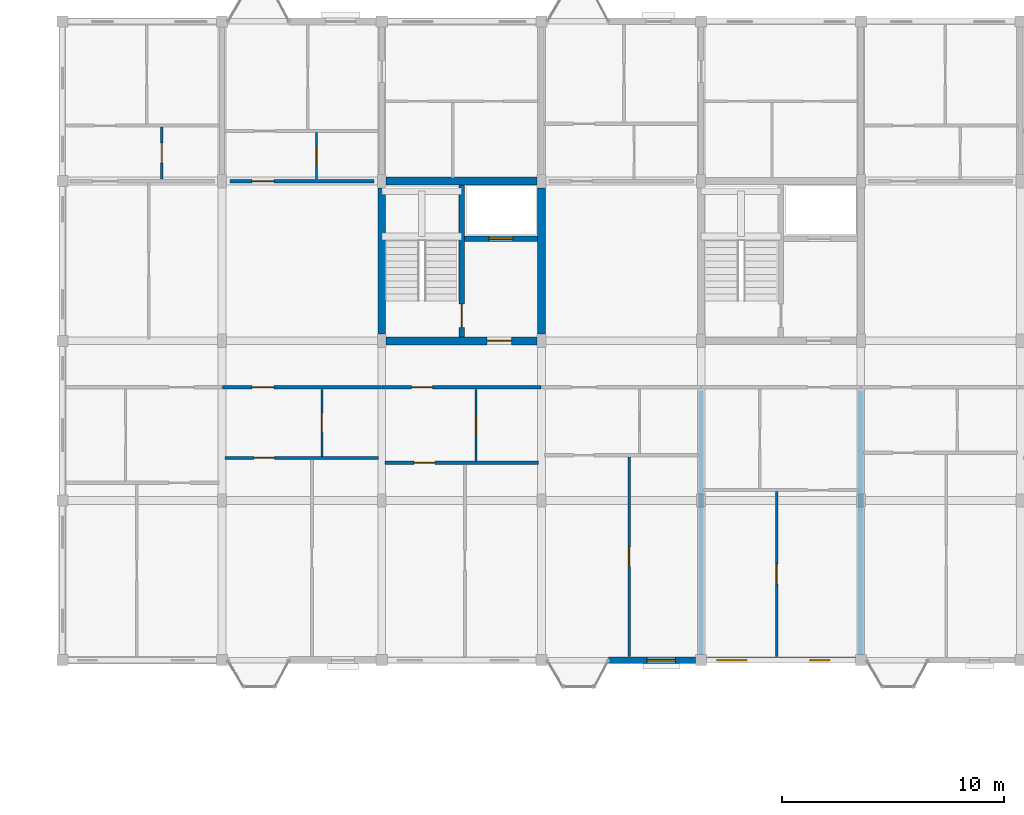
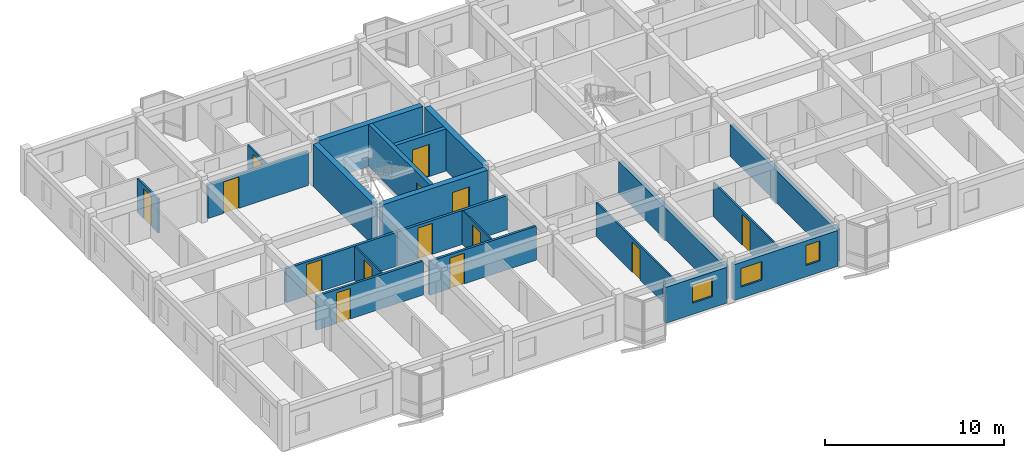
# One storey, part 60 of 70: 21 walls, 14 doors, 3 windows, 17 openings.
"""IFC4 building model written with IfcOpenShell, lengths in metres."""

from ifc_helpers import new_model, si_unit, direction, frame, frame_2d, origin, place, context, subcontext, project, spatial, rectangle, extrude, material, layer, layer_set, type_object, element, fill, save


model = new_model("IFC4")

# Units and contexts
model_context = context("Model", 3, precision=1e-05, world=origin(), true_north=direction((0.0, 1.0)))
body_context = subcontext(model_context, "Body", "Model", "MODEL_VIEW")
ifc_project = project(units=[si_unit("LENGTHUNIT", "METRE"), si_unit("AREAUNIT", "SQUARE_METRE"), si_unit("VOLUMEUNIT", "CUBIC_METRE"), si_unit("PLANEANGLEUNIT", "RADIAN"), si_unit("MASSUNIT", "GRAM", prefix="KILO"), si_unit("THERMODYNAMICTEMPERATUREUNIT", "KELVIN"), si_unit("POWERUNIT", "WATT")], contexts=[model_context])

# Site, building, storey
site_placement = place(None, origin())
site = spatial("IfcSite", under=ifc_project, at=site_placement, CompositionType="ELEMENT")
building_placement = place(site_placement, origin())
building = spatial("IfcBuilding", under=site, at=building_placement, Name="Tavuni Mirador Residences", CompositionType="ELEMENT")
storey_placement = place(building_placement, frame((0.0, 0.0, 23.39990234375)))
storey = spatial("IfcBuildingStorey", under=building, at=storey_placement, Name="L07", CompositionType="ELEMENT", Elevation=23.39990234375)

# Wall, opening, door
ifc_material_1 = material(Name="Precast concrete C40/50", Category="concrete")
ifc_layer_1 = layer(ifc_material_1, 0.25, Name="Precast concrete C40/50", Category="concrete")
ifc_layer_set_1 = layer_set([ifc_layer_1], Name="Precast concrete C40/50")
wall_type_1 = type_object("IfcWallType", Name="WT-COR250", PredefinedType="SHEAR", material=ifc_layer_set_1)
wall_1_placement = place(storey_placement, frame((28.800048828125, 158.580078125, 0.0), z_axis=(0.0, 0.0, 1.0), x_axis=(0.0, 1.0, 0.0)))
wall_1 = element("IfcWall", 1, at=wall_1_placement, inside=storey, type_object=wall_type_1, Name="CWALL-C5-L07-MID", PredefinedType="SHEAR", context=body_context, shape_type="SweptSolid", body=[
    extrude(rectangle(XDim=6.83984375, YDim=0.25, at=frame_2d((3.419921875, 0.0))), origin(), (0.0, 0.0, 1.0), 2.885009765625),
])
opening_1_placement = place(wall_1_placement, frame((0.419921875, 0.0, 0.0)))
opening_1 = element("IfcOpeningElement", 2, at=opening_1_placement, cuts=wall_1, Name="Opening D-01", PredefinedType="OPENING", context=body_context, shape_type="SweptSolid", body=[
    extrude(rectangle(XDim=1.050048828125, YDim=2.14990234375, at=frame_2d((0.52490234375, 1.074951171875))), frame((0.0, 0.135009765625, 0.0), z_axis=(0.0, -1.0, 0.0), x_axis=(1.0, 0.0, 0.0)), (0.0, 0.0, 1.0), 0.27001953125),
])
ifc_material_2 = material(Name="Solid core iroko timber", Category="wood")
door_type_1 = type_object("IfcDoorType", Name="DT-ST1050", OperationType="NOTDEFINED", PredefinedType="DOOR", material=ifc_material_2)
door_1_placement = place(opening_1_placement, origin())
door_1 = element("IfcDoor", 3, at=door_1_placement, inside=storey, type_object=door_type_1, Name="DR-2196", OperationType="SINGLE_SWING_RIGHT", OverallHeight=2.14990234375, OverallWidth=1.050048828125, PredefinedType="DOOR", context=body_context, shape_type="SweptSolid", body=[
    extrude(rectangle(XDim=1.050048828125, YDim=2.14990234375, at=frame_2d((0.52490234375, 1.074951171875))), frame((0.0, 0.02490234375, 0.0), z_axis=(0.0, -1.0, 0.0), x_axis=(1.0, 0.0, 0.0)), (0.0, 0.0, 1.0), 0.050048828125),
])
fill(opening_1, door_1)

wall_2_placement = place(storey_placement, frame((28.925048828125, 163.0, 0.0), z_axis=(0.0, 0.0, 1.0), x_axis=(1.0, 0.0, 0.0)))
wall_2 = element("IfcWall", 4, at=wall_2_placement, inside=storey, type_object=wall_type_1, Name="CWALL-C5-L07-SHF", PredefinedType="SHEAR", context=body_context, shape_type="SweptSolid", body=[
    extrude(rectangle(XDim=3.294921875, YDim=0.25, at=frame_2d((1.6474609375, 0.0))), origin(), (0.0, 0.0, 1.0), 2.885009765625),
])
opening_2_placement = place(wall_2_placement, frame((1.10009765625, 0.0, 0.0)))
opening_2 = element("IfcOpeningElement", 5, at=opening_2_placement, cuts=wall_2, Name="Opening LD-01", PredefinedType="OPENING", context=body_context, shape_type="SweptSolid", body=[
    extrude(rectangle(XDim=1.10009765625, YDim=2.199951171875, at=frame_2d((0.550048828125, 1.10009765625))), frame((0.0, 0.135009765625, 0.0), z_axis=(0.0, -1.0, 0.0), x_axis=(1.0, 0.0, 0.0)), (0.0, 0.0, 1.0), 0.27001953125),
])
ifc_material_3 = material(Name="Structural steel S355", Category="steel")
door_type_2 = type_object("IfcDoorType", Name="DT-LD-FF", OperationType="SLIDING_TO_LEFT", PredefinedType="DOOR", material=ifc_material_3)
door_2_placement = place(opening_2_placement, origin())
door_2 = element("IfcDoor", 6, at=door_2_placement, inside=storey, type_object=door_type_2, Name="Lift landing door FL-C1 L07", OperationType="SLIDING_TO_LEFT", OverallHeight=2.199951171875, OverallWidth=1.10009765625, PredefinedType="DOOR", context=body_context, shape_type="SweptSolid", body=[
    extrude(rectangle(XDim=1.10009765625, YDim=2.199951171875, at=frame_2d((0.550048828125, 1.10009765625))), frame((0.0, 0.02490234375, 0.0), z_axis=(0.0, -1.0, 0.0), x_axis=(1.0, 0.0, 0.0)), (0.0, 0.0, 1.0), 0.050048828125),
])
fill(opening_2, door_2)

# Walls
ifc_layer_2 = layer(ifc_material_1, 0.360107421875, Name="Precast concrete C40/50", Category="concrete")
ifc_layer_set_2 = layer_set([ifc_layer_2], Name="Precast concrete C40/50")
wall_type_2 = type_object("IfcWallType", Name="WT-COR360", PredefinedType="SHEAR", material=ifc_layer_set_2)
wall_3_placement = place(storey_placement, frame((25.199951171875, 158.699951171875, 0.0), z_axis=(0.0, 0.0, 1.0), x_axis=(0.0, 1.0, 0.0)))
element("IfcWall", 7, at=wall_3_placement, inside=storey, type_object=wall_type_2, Name="CWALL-C5-L07-W", PredefinedType="SHEAR", context=body_context, shape_type="SweptSolid", body=[
    extrude(rectangle(XDim=6.60009765625, YDim=0.360107421875, at=frame_2d((3.300048828125, 0.0))), origin(), (0.0, 0.0, 1.0), 2.885009765625),
])
wall_4_placement = place(storey_placement, frame((25.39990234375, 165.60009765625, 0.0), z_axis=(0.0, 0.0, 1.0), x_axis=(1.0, 0.0, 0.0)))
element("IfcWall", 8, at=wall_4_placement, inside=storey, type_object=wall_type_2, Name="CWALL-C5-L07-N", PredefinedType="SHEAR", context=body_context, shape_type="SweptSolid", body=[
    extrude(rectangle(XDim=6.800048828125, YDim=0.360107421875, at=frame_2d((3.39990234375, 0.0))), origin(), (0.0, 0.0, 1.0), 2.885009765625),
])
wall_5_placement = place(storey_placement, frame((32.39990234375, 158.699951171875, 0.0), z_axis=(0.0, 0.0, 1.0), x_axis=(0.0, 1.0, 0.0)))
element("IfcWall", 9, at=wall_5_placement, inside=storey, type_object=wall_type_2, Name="CWALL-C5-L07-E", PredefinedType="SHEAR", context=body_context, shape_type="SweptSolid", body=[
    extrude(rectangle(XDim=6.60009765625, YDim=0.360107421875, at=frame_2d((3.300048828125, 0.0))), origin(), (0.0, 0.0, 1.0), 2.885009765625),
])

# Wall, opening, door
wall_6_placement = place(storey_placement, frame((25.39990234375, 158.39990234375, 0.0), z_axis=(0.0, 0.0, 1.0), x_axis=(1.0, 0.0, 0.0)))
wall_6 = element("IfcWall", 10, at=wall_6_placement, inside=storey, type_object=wall_type_2, Name="CWALL-C5-L07-SS", PredefinedType="SHEAR", context=body_context, shape_type="SweptSolid", body=[
    extrude(rectangle(XDim=6.800048828125, YDim=0.360107421875, at=frame_2d((3.39990234375, 0.0))), origin(), (0.0, 0.0, 1.0), 2.885009765625),
])
opening_3_placement = place(wall_6_placement, frame((4.550048828125, 0.0, 0.0)))
opening_3 = element("IfcOpeningElement", 11, at=opening_3_placement, cuts=wall_6, Name="Opening D-02", PredefinedType="OPENING", context=body_context, shape_type="SweptSolid", body=[
    extrude(rectangle(XDim=1.10009765625, YDim=2.14990234375, at=frame_2d((0.550048828125, 1.074951171875))), frame((0.0, 0.18994140625, 0.0), z_axis=(0.0, -1.0, 0.0), x_axis=(1.0, 0.0, 0.0)), (0.0, 0.0, 1.0), 0.380126953125),
])
door_type_3 = type_object("IfcDoorType", Name="DT-LOB1100", OperationType="NOTDEFINED", PredefinedType="DOOR", material=ifc_material_2)
door_3_placement = place(opening_3_placement, frame((1.10009765625, 0.0, 0.0), z_axis=(0.0, 0.0, 1.0), x_axis=(-1.0, 0.0, 0.0)))
door_3 = element("IfcDoor", 12, at=door_3_placement, inside=storey, type_object=door_type_3, Name="DR-2195", OperationType="SINGLE_SWING_LEFT", OverallHeight=2.14990234375, OverallWidth=1.10009765625, PredefinedType="DOOR", context=body_context, shape_type="SweptSolid", body=[
    extrude(rectangle(XDim=1.10009765625, YDim=2.14990234375, at=frame_2d((0.550048828125, 1.074951171875))), frame((0.0, 0.02490234375, 0.0), z_axis=(0.0, -1.0, 0.0), x_axis=(1.0, 0.0, 0.0)), (0.0, 0.0, 1.0), 0.050048828125),
])
fill(opening_3, door_3)

ifc_layer_3 = layer(ifc_material_1, 0.1650390625, Name="Precast concrete C40/50", Category="concrete")
ifc_layer_set_3 = layer_set([ifc_layer_3], Name="Precast concrete C40/50")
wall_type_3 = type_object("IfcWallType", Name="WT-CORR165", PredefinedType="PARTITIONING", material=ifc_layer_set_3)
wall_7_placement = place(storey_placement, frame((18.02001953125, 156.300048828125, 0.0), z_axis=(0.0, 0.0, 1.0), x_axis=(1.0, 0.0, 0.0)))
wall_7 = element("IfcWall", 13, at=wall_7_placement, inside=storey, type_object=wall_type_3, Name="CORW-BLK-C-L07-0-01", PredefinedType="PARTITIONING", context=body_context, shape_type="SweptSolid", body=[
    extrude(rectangle(XDim=7.159912109375, YDim=0.1650390625, at=frame_2d((3.580078125, 0.0))), origin(), (0.0, 0.0, 1.0), 2.320068359375),
])
opening_4_placement = place(wall_7_placement, frame((1.330078125, 0.0, 0.0)))
opening_4 = element("IfcOpeningElement", 14, at=opening_4_placement, cuts=wall_7, Name="Opening D-03", PredefinedType="OPENING", context=body_context, shape_type="SweptSolid", body=[
    extrude(rectangle(XDim=1.0, YDim=2.14990234375, at=frame_2d((0.5, 1.074951171875))), frame((0.0, 0.092529296875, 0.0), z_axis=(0.0, -1.0, 0.0), x_axis=(1.0, 0.0, 0.0)), (0.0, 0.0, 1.0), 0.18505859375),
])
door_type_4 = type_object("IfcDoorType", Name="DT-FD60-1000", OperationType="NOTDEFINED", PredefinedType="DOOR", material=ifc_material_2)
door_4_placement = place(opening_4_placement, origin())
door_4 = element("IfcDoor", 15, at=door_4_placement, inside=storey, type_object=door_type_4, Name="DR-2724", OperationType="SINGLE_SWING_LEFT", OverallHeight=2.14990234375, OverallWidth=1.0, PredefinedType="DOOR", context=body_context, shape_type="SweptSolid", body=[
    extrude(rectangle(XDim=1.0, YDim=2.14990234375, at=frame_2d((0.5, 1.074951171875))), frame((0.0, 0.02490234375, 0.0), z_axis=(0.0, -1.0, 0.0), x_axis=(1.0, 0.0, 0.0)), (0.0, 0.0, 1.0), 0.050048828125),
])
fill(opening_4, door_4)

wall_8_placement = place(storey_placement, frame((25.219970703125, 156.300048828125, 0.0), z_axis=(0.0, 0.0, 1.0), x_axis=(1.0, 0.0, 0.0)))
wall_8 = element("IfcWall", 16, at=wall_8_placement, inside=storey, type_object=wall_type_3, Name="CORW-BLK-C-L07-0-02", PredefinedType="PARTITIONING", context=body_context, shape_type="SweptSolid", body=[
    extrude(rectangle(XDim=7.159912109375, YDim=0.1650390625, at=frame_2d((3.580078125, 0.0))), origin(), (0.0, 0.0, 1.0), 2.320068359375),
])
opening_5_placement = place(wall_8_placement, frame((1.330078125, 0.0, 0.0)))
opening_5 = element("IfcOpeningElement", 17, at=opening_5_placement, cuts=wall_8, Name="Opening D-19", PredefinedType="OPENING", context=body_context, shape_type="SweptSolid", body=[
    extrude(rectangle(XDim=0.93994140625, YDim=2.1201171875, at=frame_2d((0.469970703125, 1.06005859375))), frame((0.0, 0.092529296875, 0.0), z_axis=(0.0, -1.0, 0.0), x_axis=(1.0, 0.0, 0.0)), (0.0, 0.0, 1.0), 0.18505859375),
])
door_type_5 = type_object("IfcDoorType", Name="DT-FD60-940", OperationType="NOTDEFINED", PredefinedType="DOOR", material=ifc_material_2)
door_5_placement = place(opening_5_placement, origin())
door_5 = element("IfcDoor", 18, at=door_5_placement, inside=storey, type_object=door_type_5, Name="DR-2725", OperationType="SINGLE_SWING_RIGHT", OverallHeight=2.1201171875, OverallWidth=0.93994140625, PredefinedType="DOOR", context=body_context, shape_type="SweptSolid", body=[
    extrude(rectangle(XDim=0.93994140625, YDim=2.1201171875, at=frame_2d((0.469970703125, 1.06005859375))), frame((0.0, 0.02490234375, 0.0), z_axis=(0.0, -1.0, 0.0), x_axis=(1.0, 0.0, 0.0)), (0.0, 0.0, 1.0), 0.050048828125),
])
fill(opening_5, door_5)

wall_9_placement = place(storey_placement, frame((18.35009765625, 165.60009765625, 0.0), z_axis=(0.0, 0.0, 1.0), x_axis=(1.0, 0.0, 0.0)))
wall_9 = element("IfcWall", 19, at=wall_9_placement, inside=storey, type_object=wall_type_3, Name="CORW-BLK-C-L07-1-01", PredefinedType="PARTITIONING", context=body_context, shape_type="SweptSolid", body=[
    extrude(rectangle(XDim=6.5, YDim=0.1650390625, at=frame_2d((3.25, 0.0))), origin(), (0.0, 0.0, 1.0), 2.320068359375),
])
opening_6_placement = place(wall_9_placement, frame((1.0, 0.0, 0.0)))
opening_6 = element("IfcOpeningElement", 20, at=opening_6_placement, cuts=wall_9, Name="Opening D-03", PredefinedType="OPENING", context=body_context, shape_type="SweptSolid", body=[
    extrude(rectangle(XDim=1.0, YDim=2.14990234375, at=frame_2d((0.5, 1.074951171875))), frame((0.0, 0.092529296875, 0.0), z_axis=(0.0, -1.0, 0.0), x_axis=(1.0, 0.0, 0.0)), (0.0, 0.0, 1.0), 0.18505859375),
])
door_6_placement = place(opening_6_placement, origin())
door_6 = element("IfcDoor", 21, at=door_6_placement, inside=storey, type_object=door_type_4, Name="DR-2733", OperationType="SINGLE_SWING_RIGHT", OverallHeight=2.14990234375, OverallWidth=1.0, PredefinedType="DOOR", context=body_context, shape_type="SweptSolid", body=[
    extrude(rectangle(XDim=1.0, YDim=2.14990234375, at=frame_2d((0.5, 1.074951171875))), frame((0.0, 0.02490234375, 0.0), z_axis=(0.0, -1.0, 0.0), x_axis=(1.0, 0.0, 0.0)), (0.0, 0.0, 1.0), 0.050048828125),
])
fill(opening_6, door_6)

# Wall, openings, windows
ifc_material_4 = material(Name="Sgraffito lime-rendered precast concrete C40/50", Category="concrete")
ifc_layer_4 = layer(ifc_material_4, 0.27490234375, Name="Sgraffito lime-rendered precast concrete C40/50", Category="concrete")
ifc_layer_set_4 = layer_set([ifc_layer_4], Name="Sgraffito lime-rendered precast concrete C40/50")
wall_type_4 = type_object("IfcWallType", Name="WT-EXT-PC275", PredefinedType="SOLIDWALL", material=ifc_layer_set_4)
wall_10_placement = place(storey_placement, frame((39.85009765625, 144.0, 0.0), z_axis=(0.0, 0.0, 1.0), x_axis=(1.0, 0.0, 0.0)))
wall_10 = element("IfcWall", 22, at=wall_10_placement, inside=storey, type_object=wall_type_4, Name="EW-BLK-C-L07-S04", PredefinedType="SOLIDWALL", context=body_context, shape_type="SweptSolid", body=[
    extrude(rectangle(XDim=6.699951171875, YDim=0.27490234375, at=frame_2d((3.35009765625, 0.0))), origin(), (0.0, 0.0, 1.0), 2.455078125),
])
opening_7_placement = place(wall_10_placement, frame((0.449951171875, 0.0, 0.780029296875)))
opening_7 = element("IfcOpeningElement", 23, at=opening_7_placement, cuts=wall_10, Name="Opening WN-15", PredefinedType="OPENING", context=body_context, shape_type="SweptSolid", body=[
    extrude(rectangle(XDim=1.360107421875, YDim=1.260009765625, at=frame_2d((0.68017578125, 0.6298828125))), frame((0.0, 0.1474609375, 0.0), z_axis=(0.0, -1.0, 0.0), x_axis=(1.0, 0.0, 0.0)), (0.0, 0.0, 1.0), 0.294921875),
])
opening_8_placement = place(wall_10_placement, frame((4.64990234375, 0.0, 0.780029296875)))
opening_8 = element("IfcOpeningElement", 24, at=opening_8_placement, cuts=wall_10, Name="Opening WN-17", PredefinedType="OPENING", context=body_context, shape_type="SweptSolid", body=[
    extrude(rectangle(XDim=0.89990234375, YDim=1.360107421875, at=frame_2d((0.449951171875, 0.68017578125))), frame((0.0, 0.1474609375, 0.0), z_axis=(0.0, -1.0, 0.0), x_axis=(1.0, 0.0, 0.0)), (0.0, 0.0, 1.0), 0.294921875),
])
ifc_material_5 = material(Name="Laminated solar-control glass", Category="glass")
window_type_1 = type_object("IfcWindowType", Name="WNT-15", PartitioningType="SINGLE_PANEL", PredefinedType="WINDOW", material=ifc_material_5)
window_1_placement = place(opening_7_placement, origin())
window_1 = element("IfcWindow", 25, at=window_1_placement, inside=storey, type_object=window_type_1, Name="WIN-1147", OverallHeight=1.260009765625, OverallWidth=1.360107421875, PartitioningType="SINGLE_PANEL", PredefinedType="WINDOW", context=body_context, shape_type="SweptSolid", body=[
    extrude(rectangle(XDim=1.360107421875, YDim=1.260009765625, at=frame_2d((0.68017578125, 0.6298828125))), frame((0.0, 0.030029296875, 0.0), z_axis=(0.0, -1.0, 0.0), x_axis=(1.0, 0.0, 0.0)), (0.0, 0.0, 1.0), 0.06005859375),
])
fill(opening_7, window_1)
window_type_2 = type_object("IfcWindowType", Name="WNT-17", PartitioningType="SINGLE_PANEL", PredefinedType="WINDOW", material=ifc_material_5)
window_2_placement = place(opening_8_placement, origin())
window_2 = element("IfcWindow", 26, at=window_2_placement, inside=storey, type_object=window_type_2, Name="WIN-1148", OverallHeight=1.360107421875, OverallWidth=0.89990234375, PartitioningType="SINGLE_PANEL", PredefinedType="WINDOW", context=body_context, shape_type="SweptSolid", body=[
    extrude(rectangle(XDim=0.89990234375, YDim=1.360107421875, at=frame_2d((0.449951171875, 0.68017578125))), frame((0.0, 0.030029296875, 0.0), z_axis=(0.0, -1.0, 0.0), x_axis=(1.0, 0.0, 0.0)), (0.0, 0.0, 1.0), 0.06005859375),
])
fill(opening_8, window_2)

# Wall, opening, window
ifc_layer_5 = layer(ifc_material_4, 0.2900390625, Name="Sgraffito lime-rendered precast concrete C40/50", Category="concrete")
ifc_layer_set_5 = layer_set([ifc_layer_5], Name="Sgraffito lime-rendered precast concrete C40/50")
wall_type_5 = type_object("IfcWallType", Name="WT-EXT-PC290", PredefinedType="SOLIDWALL", material=ifc_layer_set_5)
wall_11_placement = place(storey_placement, frame((35.419921875, 144.0, 0.0), z_axis=(0.0, 0.0, 1.0), x_axis=(1.0, 0.0, 0.0)))
wall_11 = element("IfcWall", 27, at=wall_11_placement, inside=storey, type_object=wall_type_5, Name="EW-BLK-C-L07-S03", PredefinedType="SOLIDWALL", context=body_context, shape_type="SweptSolid", body=[
    extrude(rectangle(XDim=3.93017578125, YDim=0.2900390625, at=frame_2d((1.965087890625, 0.0))), origin(), (0.0, 0.0, 1.0), 2.455078125),
])
opening_9_placement = place(wall_11_placement, frame((1.735107421875, 0.0, 0.780029296875)))
opening_9 = element("IfcOpeningElement", 28, at=opening_9_placement, cuts=wall_11, Name="Opening WN-14", PredefinedType="OPENING", context=body_context, shape_type="SweptSolid", body=[
    extrude(rectangle(XDim=1.280029296875, YDim=1.260009765625, at=frame_2d((0.64013671875, 0.6298828125))), frame((0.0, 0.155029296875, 0.0), z_axis=(0.0, -1.0, 0.0), x_axis=(1.0, 0.0, 0.0)), (0.0, 0.0, 1.0), 0.31005859375),
])
window_type_3 = type_object("IfcWindowType", Name="WNT-14", PartitioningType="SINGLE_PANEL", PredefinedType="WINDOW", material=ifc_material_5)
window_3_placement = place(opening_9_placement, origin())
window_3 = element("IfcWindow", 29, at=window_3_placement, inside=storey, type_object=window_type_3, Name="WIN-1146", OverallHeight=1.260009765625, OverallWidth=1.280029296875, PartitioningType="SINGLE_PANEL", PredefinedType="WINDOW", context=body_context, shape_type="SweptSolid", body=[
    extrude(rectangle(XDim=1.280029296875, YDim=1.260009765625, at=frame_2d((0.64013671875, 0.6298828125))), frame((0.0, 0.030029296875, 0.0), z_axis=(0.0, -1.0, 0.0), x_axis=(1.0, 0.0, 0.0)), (0.0, 0.0, 1.0), 0.06005859375),
])
fill(opening_9, window_3)

# Wall, opening, door
ifc_material_6 = material(Name="Acoustic gypsum and concrete block partition", Category="concrete")
ifc_layer_6 = layer(ifc_material_6, 0.094970703125, Name="Acoustic gypsum and concrete block partition", Category="concrete")
ifc_layer_set_6 = layer_set([ifc_layer_6], Name="Acoustic gypsum and concrete block partition")
wall_type_6 = type_object("IfcWallType", Name="WT-PART095", PredefinedType="PARTITIONING", material=ifc_layer_set_6)
wall_12_placement = place(storey_placement, frame((22.5, 153.18994140625, 0.0), z_axis=(0.0, 0.0, 1.0), x_axis=(0.0, 1.0, 0.0)))
wall_12 = element("IfcWall", 30, at=wall_12_placement, inside=storey, type_object=wall_type_6, Name="PW-BLK-C-L07-S01-IN1", PredefinedType="PARTITIONING", context=body_context, shape_type="SweptSolid", body=[
    extrude(rectangle(XDim=3.02001953125, YDim=0.094970703125, at=frame_2d((1.510009765625, 0.0))), origin(), (0.0, 0.0, 1.0), 2.320068359375),
])
opening_10_placement = place(wall_12_placement, frame((1.074951171875, 0.0, 0.0)))
opening_10 = element("IfcOpeningElement", 31, at=opening_10_placement, cuts=wall_12, Name="Opening D-10", PredefinedType="OPENING", context=body_context, shape_type="SweptSolid", body=[
    extrude(rectangle(XDim=0.8701171875, YDim=2.050048828125, at=frame_2d((0.43505859375, 1.02490234375))), frame((0.0, 0.0576171875, 0.0), z_axis=(0.0, -1.0, 0.0), x_axis=(1.0, 0.0, 0.0)), (0.0, 0.0, 1.0), 0.114990234375),
])
door_type_6 = type_object("IfcDoorType", Name="DT-WC870", OperationType="NOTDEFINED", PredefinedType="DOOR", material=ifc_material_2)
door_7_placement = place(opening_10_placement, origin())
door_7 = element("IfcDoor", 32, at=door_7_placement, inside=storey, type_object=door_type_6, Name="DR-4025", OperationType="SINGLE_SWING_RIGHT", OverallHeight=2.050048828125, OverallWidth=0.8701171875, PredefinedType="DOOR", context=body_context, shape_type="SweptSolid", body=[
    extrude(rectangle(XDim=0.8701171875, YDim=2.050048828125, at=frame_2d((0.43505859375, 1.02490234375))), frame((0.0, 0.02490234375, 0.0), z_axis=(0.0, -1.0, 0.0), x_axis=(1.0, 0.0, 0.0)), (0.0, 0.0, 1.0), 0.050048828125),
])
fill(opening_10, door_7)

wall_13_placement = place(storey_placement, frame((29.449951171875, 152.969970703125, 0.0), z_axis=(0.0, 0.0, 1.0), x_axis=(0.0, 1.0, 0.0)))
wall_13 = element("IfcWall", 33, at=wall_13_placement, inside=storey, type_object=wall_type_6, Name="PW-BLK-C-L07-S02-IN1", PredefinedType="PARTITIONING", context=body_context, shape_type="SweptSolid", body=[
    extrude(rectangle(XDim=3.239990234375, YDim=0.094970703125, at=frame_2d((1.6201171875, 0.0))), origin(), (0.0, 0.0, 1.0), 2.320068359375),
])
opening_11_placement = place(wall_13_placement, frame((1.169921875, 0.0, 0.0)))
opening_11 = element("IfcOpeningElement", 34, at=opening_11_placement, cuts=wall_13, Name="Opening D-09", PredefinedType="OPENING", context=body_context, shape_type="SweptSolid", body=[
    extrude(rectangle(XDim=0.89990234375, YDim=2.050048828125, at=frame_2d((0.449951171875, 1.02490234375))), frame((0.0, 0.0576171875, 0.0), z_axis=(0.0, -1.0, 0.0), x_axis=(1.0, 0.0, 0.0)), (0.0, 0.0, 1.0), 0.114990234375),
])
door_type_7 = type_object("IfcDoorType", Name="DT-WC900", OperationType="NOTDEFINED", PredefinedType="DOOR", material=ifc_material_2)
door_8_placement = place(opening_11_placement, origin())
door_8 = element("IfcDoor", 35, at=door_8_placement, inside=storey, type_object=door_type_7, Name="DR-4031", OperationType="SINGLE_SWING_LEFT", OverallHeight=2.050048828125, OverallWidth=0.89990234375, PredefinedType="DOOR", context=body_context, shape_type="SweptSolid", body=[
    extrude(rectangle(XDim=0.89990234375, YDim=2.050048828125, at=frame_2d((0.449951171875, 1.02490234375))), frame((0.0, 0.02490234375, 0.0), z_axis=(0.0, -1.0, 0.0), x_axis=(1.0, 0.0, 0.0)), (0.0, 0.0, 1.0), 0.050048828125),
])
fill(opening_11, door_8)

ifc_layer_7 = layer(ifc_material_6, 0.10498046875, Name="Acoustic gypsum and concrete block partition", Category="concrete")
ifc_layer_set_7 = layer_set([ifc_layer_7], Name="Acoustic gypsum and concrete block partition")
wall_type_7 = type_object("IfcWallType", Name="WT-PART105", PredefinedType="PARTITIONING", material=ifc_layer_set_7)
wall_14_placement = place(storey_placement, frame((15.280029296875, 165.68994140625, 0.0), z_axis=(0.0, 0.0, 1.0), x_axis=(0.0, 1.0, 0.0)))
wall_14 = element("IfcWall", 36, at=wall_14_placement, inside=storey, type_object=wall_type_7, Name="PW-BLK-C-L07-N00-IN1", PredefinedType="PARTITIONING", context=body_context, shape_type="SweptSolid", body=[
    extrude(rectangle(XDim=2.340087890625, YDim=0.10498046875, at=frame_2d((1.169921875, 0.0))), origin(), (0.0, 0.0, 1.0), 2.320068359375),
])
opening_12_placement = place(wall_14_placement, frame((0.719970703125, 0.0, 0.0)))
opening_12 = element("IfcOpeningElement", 37, at=opening_12_placement, cuts=wall_14, Name="Opening D-09", PredefinedType="OPENING", context=body_context, shape_type="SweptSolid", body=[
    extrude(rectangle(XDim=0.89990234375, YDim=2.050048828125, at=frame_2d((0.449951171875, 1.02490234375))), frame((0.0, 0.0625, 0.0), z_axis=(0.0, -1.0, 0.0), x_axis=(1.0, 0.0, 0.0)), (0.0, 0.0, 1.0), 0.125),
])
door_9_placement = place(opening_12_placement, origin())
door_9 = element("IfcDoor", 38, at=door_9_placement, inside=storey, type_object=door_type_7, Name="DR-4022", OperationType="SINGLE_SWING_LEFT", OverallHeight=2.050048828125, OverallWidth=0.89990234375, PredefinedType="DOOR", context=body_context, shape_type="SweptSolid", body=[
    extrude(rectangle(XDim=0.89990234375, YDim=2.050048828125, at=frame_2d((0.449951171875, 1.02490234375))), frame((0.0, 0.02490234375, 0.0), z_axis=(0.0, -1.0, 0.0), x_axis=(1.0, 0.0, 0.0)), (0.0, 0.0, 1.0), 0.050048828125),
])
fill(opening_12, door_9)

wall_15_placement = place(storey_placement, frame((22.260009765625, 165.68994140625, 0.0), z_axis=(0.0, 0.0, 1.0), x_axis=(0.0, 1.0, 0.0)))
wall_15 = element("IfcWall", 39, at=wall_15_placement, inside=storey, type_object=wall_type_7, Name="PW-BLK-C-L07-N01-IN1", PredefinedType="PARTITIONING", context=body_context, shape_type="SweptSolid", body=[
    extrude(rectangle(XDim=2.10009765625, YDim=0.10498046875, at=frame_2d((1.050048828125, 0.0))), origin(), (0.0, 0.0, 1.0), 2.320068359375),
])
opening_13_placement = place(wall_15_placement, frame((0.60009765625, 0.0, 0.0)))
opening_13 = element("IfcOpeningElement", 40, at=opening_13_placement, cuts=wall_15, Name="Opening D-09", PredefinedType="OPENING", context=body_context, shape_type="SweptSolid", body=[
    extrude(rectangle(XDim=0.89990234375, YDim=2.050048828125, at=frame_2d((0.449951171875, 1.02490234375))), frame((0.0, 0.0625, 0.0), z_axis=(0.0, -1.0, 0.0), x_axis=(1.0, 0.0, 0.0)), (0.0, 0.0, 1.0), 0.125),
])
door_10_placement = place(opening_13_placement, origin())
door_10 = element("IfcDoor", 41, at=door_10_placement, inside=storey, type_object=door_type_7, Name="DR-4028", OperationType="SINGLE_SWING_LEFT", OverallHeight=2.050048828125, OverallWidth=0.89990234375, PredefinedType="DOOR", context=body_context, shape_type="SweptSolid", body=[
    extrude(rectangle(XDim=0.89990234375, YDim=2.050048828125, at=frame_2d((0.449951171875, 1.02490234375))), frame((0.0, 0.02490234375, 0.0), z_axis=(0.0, -1.0, 0.0), x_axis=(1.0, 0.0, 0.0)), (0.0, 0.0, 1.0), 0.050048828125),
])
fill(opening_13, door_10)

ifc_layer_8 = layer(ifc_material_6, 0.114990234375, Name="Acoustic gypsum and concrete block partition", Category="concrete")
ifc_layer_set_8 = layer_set([ifc_layer_8], Name="Acoustic gypsum and concrete block partition")
wall_type_8 = type_object("IfcWallType", Name="WT-PART115", PredefinedType="PARTITIONING", material=ifc_layer_set_8)
wall_16_placement = place(storey_placement, frame((36.35009765625, 144.175048828125, 0.0), z_axis=(0.0, 0.0, 1.0), x_axis=(0.0, 1.0, 0.0)))
wall_16 = element("IfcWall", 42, at=wall_16_placement, inside=storey, type_object=wall_type_8, Name="PW-BLK-C-L07-S03-OUT", PredefinedType="PARTITIONING", context=body_context, shape_type="SweptSolid", body=[
    extrude(rectangle(XDim=8.994873046875, YDim=0.114990234375, at=frame_2d((4.49755859375, 0.0))), origin(), (0.0, 0.0, 1.0), 2.320068359375),
])
opening_14_placement = place(wall_16_placement, frame((4.0576171875, 0.0, 0.0)))
opening_14 = element("IfcOpeningElement", 43, at=opening_14_placement, cuts=wall_16, Name="Opening D-08", PredefinedType="OPENING", context=body_context, shape_type="SweptSolid", body=[
    extrude(rectangle(XDim=0.8798828125, YDim=2.080078125, at=frame_2d((0.43994140625, 1.0400390625))), frame((0.0, 0.0673828125, 0.0), z_axis=(0.0, -1.0, 0.0), x_axis=(1.0, 0.0, 0.0)), (0.0, 0.0, 1.0), 0.135009765625),
])
door_type_8 = type_object("IfcDoorType", Name="DT-BED880", OperationType="NOTDEFINED", PredefinedType="DOOR", material=ifc_material_2)
door_11_placement = place(opening_14_placement, origin())
door_11 = element("IfcDoor", 44, at=door_11_placement, inside=storey, type_object=door_type_8, Name="DR-4035", OperationType="SINGLE_SWING_LEFT", OverallHeight=2.080078125, OverallWidth=0.8798828125, PredefinedType="DOOR", context=body_context, shape_type="SweptSolid", body=[
    extrude(rectangle(XDim=0.8798828125, YDim=2.080078125, at=frame_2d((0.43994140625, 1.0400390625))), frame((0.0, 0.02490234375, 0.0), z_axis=(0.0, -1.0, 0.0), x_axis=(1.0, 0.0, 0.0)), (0.0, 0.0, 1.0), 0.050048828125),
])
fill(opening_14, door_11)

wall_17_placement = place(storey_placement, frame((43.0, 144.175048828125, 0.0), z_axis=(0.0, 0.0, 1.0), x_axis=(0.0, 1.0, 0.0)))
wall_17 = element("IfcWall", 45, at=wall_17_placement, inside=storey, type_object=wall_type_8, Name="PW-BLK-C-L07-S04-OUT", PredefinedType="PARTITIONING", context=body_context, shape_type="SweptSolid", body=[
    extrude(rectangle(XDim=7.425048828125, YDim=0.114990234375, at=frame_2d((3.71240234375, 0.0))), origin(), (0.0, 0.0, 1.0), 2.320068359375),
])
opening_15_placement = place(wall_17_placement, frame((3.262451171875, 0.0, 0.0)))
opening_15 = element("IfcOpeningElement", 46, at=opening_15_placement, cuts=wall_17, Name="Opening D-07", PredefinedType="OPENING", context=body_context, shape_type="SweptSolid", body=[
    extrude(rectangle(XDim=0.89990234375, YDim=2.10009765625, at=frame_2d((0.449951171875, 1.050048828125))), frame((0.0, 0.0673828125, 0.0), z_axis=(0.0, -1.0, 0.0), x_axis=(1.0, 0.0, 0.0)), (0.0, 0.0, 1.0), 0.135009765625),
])
door_type_9 = type_object("IfcDoorType", Name="DT-BED900", OperationType="NOTDEFINED", PredefinedType="DOOR", material=ifc_material_2)
door_12_placement = place(opening_15_placement, origin())
door_12 = element("IfcDoor", 47, at=door_12_placement, inside=storey, type_object=door_type_9, Name="DR-4041", OperationType="SINGLE_SWING_RIGHT", OverallHeight=2.10009765625, OverallWidth=0.89990234375, PredefinedType="DOOR", context=body_context, shape_type="SweptSolid", body=[
    extrude(rectangle(XDim=0.89990234375, YDim=2.10009765625, at=frame_2d((0.449951171875, 1.050048828125))), frame((0.0, 0.02490234375, 0.0), z_axis=(0.0, -1.0, 0.0), x_axis=(1.0, 0.0, 0.0)), (0.0, 0.0, 1.0), 0.050048828125),
])
fill(opening_15, door_12)

ifc_layer_9 = layer(ifc_material_6, 0.14990234375, Name="Acoustic gypsum and concrete block partition", Category="concrete")
ifc_layer_set_9 = layer_set([ifc_layer_9], Name="Acoustic gypsum and concrete block partition")
wall_type_9 = type_object("IfcWallType", Name="WT-PART150", PredefinedType="PARTITIONING", material=ifc_layer_set_9)
wall_18_placement = place(storey_placement, frame((18.139892578125, 153.1201171875, 0.0), z_axis=(0.0, 0.0, 1.0), x_axis=(1.0, 0.0, 0.0)))
wall_18 = element("IfcWall", 48, at=wall_18_placement, inside=storey, type_object=wall_type_9, Name="PW-BLK-C-L07-S01-MID", PredefinedType="PARTITIONING", context=body_context, shape_type="SweptSolid", body=[
    extrude(rectangle(XDim=6.920166015625, YDim=0.14990234375, at=frame_2d((3.4599609375, 0.0))), origin(), (0.0, 0.0, 1.0), 2.320068359375),
])
opening_16_placement = place(wall_18_placement, frame((1.31005859375, 0.0, 0.0)))
opening_16 = element("IfcOpeningElement", 49, at=opening_16_placement, cuts=wall_18, Name="Opening D-06", PredefinedType="OPENING", context=body_context, shape_type="SweptSolid", body=[
    extrude(rectangle(XDim=0.919921875, YDim=2.10009765625, at=frame_2d((0.4599609375, 1.050048828125))), frame((0.0, 0.0849609375, 0.0), z_axis=(0.0, -1.0, 0.0), x_axis=(1.0, 0.0, 0.0)), (0.0, 0.0, 1.0), 0.169921875),
])
door_type_10 = type_object("IfcDoorType", Name="DT-INT920", OperationType="NOTDEFINED", PredefinedType="DOOR", material=ifc_material_2)
door_13_placement = place(opening_16_placement, origin())
door_13 = element("IfcDoor", 50, at=door_13_placement, inside=storey, type_object=door_type_10, Name="DR-4026", OperationType="SINGLE_SWING_RIGHT", OverallHeight=2.10009765625, OverallWidth=0.919921875, PredefinedType="DOOR", context=body_context, shape_type="SweptSolid", body=[
    extrude(rectangle(XDim=0.919921875, YDim=2.10009765625, at=frame_2d((0.4599609375, 1.050048828125))), frame((0.0, 0.02490234375, 0.0), z_axis=(0.0, -1.0, 0.0), x_axis=(1.0, 0.0, 0.0)), (0.0, 0.0, 1.0), 0.050048828125),
])
fill(opening_16, door_13)

wall_19_placement = place(storey_placement, frame((25.340087890625, 152.89990234375, 0.0), z_axis=(0.0, 0.0, 1.0), x_axis=(1.0, 0.0, 0.0)))
wall_19 = element("IfcWall", 51, at=wall_19_placement, inside=storey, type_object=wall_type_9, Name="PW-BLK-C-L07-S02-MID", PredefinedType="PARTITIONING", context=body_context, shape_type="SweptSolid", body=[
    extrude(rectangle(XDim=6.919921875, YDim=0.14990234375, at=frame_2d((3.4599609375, 0.0))), origin(), (0.0, 0.0, 1.0), 2.320068359375),
])
opening_17_placement = place(wall_19_placement, frame((1.31005859375, 0.0, 0.0)))
opening_17 = element("IfcOpeningElement", 52, at=opening_17_placement, cuts=wall_19, Name="Opening D-05", PredefinedType="OPENING", context=body_context, shape_type="SweptSolid", body=[
    extrude(rectangle(XDim=0.949951171875, YDim=2.10009765625, at=frame_2d((0.47509765625, 1.050048828125))), frame((0.0, 0.0849609375, 0.0), z_axis=(0.0, -1.0, 0.0), x_axis=(1.0, 0.0, 0.0)), (0.0, 0.0, 1.0), 0.169921875),
])
door_type_11 = type_object("IfcDoorType", Name="DT-INT950", OperationType="NOTDEFINED", PredefinedType="DOOR", material=ifc_material_2)
door_14_placement = place(opening_17_placement, origin())
door_14 = element("IfcDoor", 53, at=door_14_placement, inside=storey, type_object=door_type_11, Name="DR-4032", OperationType="SINGLE_SWING_LEFT", OverallHeight=2.10009765625, OverallWidth=0.949951171875, PredefinedType="DOOR", context=body_context, shape_type="SweptSolid", body=[
    extrude(rectangle(XDim=0.949951171875, YDim=2.10009765625, at=frame_2d((0.47509765625, 1.050048828125))), frame((0.0, 0.02490234375, 0.0), z_axis=(0.0, -1.0, 0.0), x_axis=(1.0, 0.0, 0.0)), (0.0, 0.0, 1.0), 0.050048828125),
])
fill(opening_17, door_14)

# Walls
ifc_layer_10 = layer(ifc_material_1, 0.235107421875, Name="Precast concrete C40/50", Category="concrete")
ifc_layer_set_10 = layer_set([ifc_layer_10], Name="Precast concrete C40/50")
wall_type_10 = type_object("IfcWallType", Name="WT-XW235", PredefinedType="SOLIDWALL", material=ifc_layer_set_10)
for number, where, z_axis, x_axis, name in (
    (54, (39.60009765625, 144.25, 0.0), (0.0, 0.0, 1.0), (0.0, 1.0, 0.0), "XW-BLK-C-L07-S-04"),
    (55, (46.800048828125, 144.25, 0.0), (0.0, 0.0, 1.0), (0.0, 1.0, 0.0), "XW-BLK-C-L07-S-05"),
):
    element("IfcWall", number, at=place(storey_placement, frame(where, z_axis=z_axis, x_axis=x_axis)), inside=storey, type_object=wall_type_10, Name=name, PredefinedType="SOLIDWALL", context=body_context, shape_type="SweptSolid", body=[
        extrude(rectangle(XDim=11.89990234375, YDim=0.235107421875, at=frame_2d((5.949951171875, 0.0))), origin(), (0.0, 0.0, 1.0), 2.18505859375),
    ])

save(model, "model.ifc")
